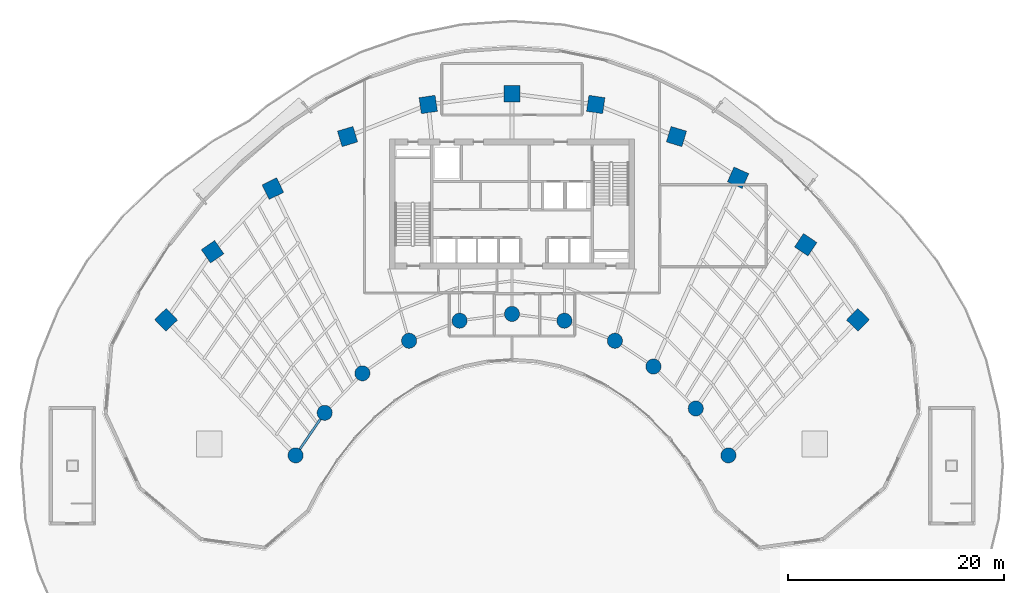
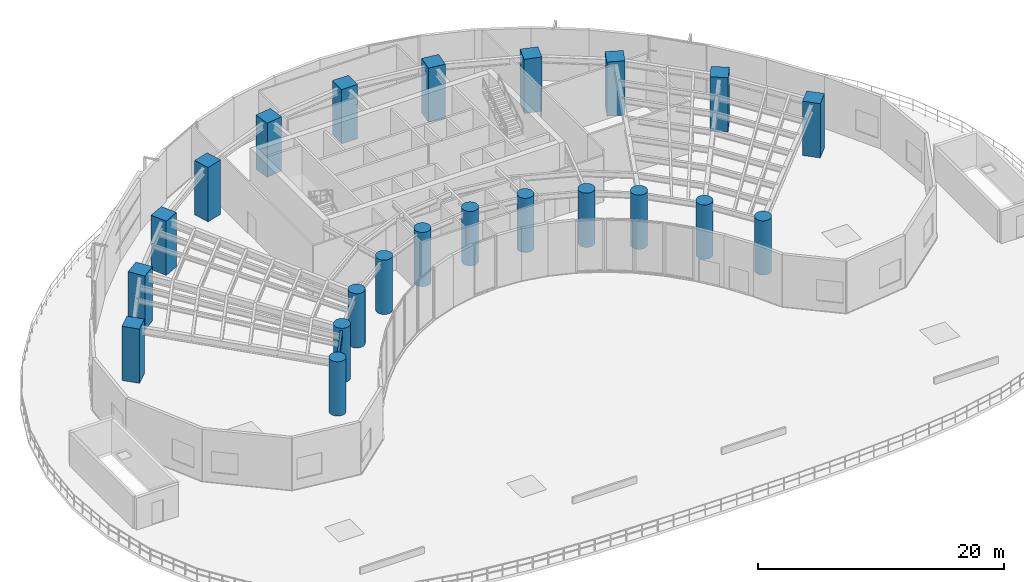
# One storey, part 1 of 17: 22 columns, 1 beam.
"""IFC4 building model written with IfcOpenShell, lengths in metres."""

from ifc_helpers import new_model, si_unit, direction, frame, origin, origin_2d, place, context, subcontext, project, spatial, rectangle, circle, i_section, extrude, source, transform, mapped, material, material_profile, profile_set, type_object, type_shapes, element, save


model = new_model("IFC4")

# Units and contexts
model_context = context("Model", 3, precision=1e-05, world=origin(), true_north=direction((0.0, 1.0)))
body_context = subcontext(model_context, "Body", "Model", "MODEL_VIEW")
ifc_project = project(units=[si_unit("LENGTHUNIT", "METRE"), si_unit("AREAUNIT", "SQUARE_METRE"), si_unit("VOLUMEUNIT", "CUBIC_METRE"), si_unit("PLANEANGLEUNIT", "RADIAN"), si_unit("MASSUNIT", "GRAM", prefix="KILO")], contexts=[model_context])

# Site, building, storey
site_placement = place(None, origin())
site = spatial("IfcSite", under=ifc_project, at=site_placement, CompositionType="ELEMENT")
building_placement = place(site_placement, origin())
building = spatial("IfcBuilding", under=site, at=building_placement, Name="Breltana Convention Tower", CompositionType="ELEMENT")
storey_placement = place(building_placement, frame((0.0, 0.0, 30.0)))
storey = spatial("IfcBuildingStorey", under=building, at=storey_placement, Name="L05", CompositionType="ELEMENT", Elevation=30.0)

# Columns
ifc_material_1 = material(Name="Concrete C60/75", Category="concrete")
ifc_material_profile_1 = material_profile(ifc_material_1, circle(Radius=0.699951171875, at=origin_2d()), Name="RC-COL-D1400")
ifc_profile_set_1 = profile_set([ifc_material_profile_1], Name="Concrete C60/75")
column_type_1 = type_object("IfcColumnType", Name="COL-RC-D1400", PredefinedType="COLUMN", material=ifc_profile_set_1)
shared_shape_1 = source(origin(), body_context, "Body", "SweptSolid", [
    extrude(circle(Radius=0.699951171875, at=origin_2d()), origin(), (0.0, 0.0, 1.0), 5.39990234375),
])
type_shapes(column_type_1, [shared_shape_1])
for number, where, z_axis, x_axis, name in (
    (1, (27.984619140625, 42.95458984375, 0.0), (0.0, 0.0, 1.0), (-0.690756218984, 0.723087716626, 0.0), "L05 Tower Column R01-IN"),
    (2, (30.67724609375, 46.892333984375, 0.0), (0.0, 0.0, 1.0), (-0.571143442153, 0.820850271661, 0.0), "L05 Tower Column R02-IN"),
    (3, (34.166259765625, 50.544921875, 0.0), (0.0, 0.0, 1.0), (-0.436173672171, 0.899862504889, 0.0), "L05 Tower Column R03-IN"),
    (4, (38.485107421875, 53.5576171875, 0.0), (0.0, 0.0, 1.0), (-0.288697611798, 0.957420330337, 0.0), "L05 Tower Column R04-IN"),
    (5, (43.153564453125, 55.41064453125, 0.0), (0.0, 0.0, 1.0), (-0.143492621991, 0.98965138682, 0.0), "L05 Tower Column R05-IN"),
    (6, (48.0, 56.035888671875, 0.0), (0.0, 0.0, 1.0), (0.0, 1.0, 0.0), "L05 Tower Column R06-IN"),
    (7, (52.846435546875, 55.41064453125, 0.0), (0.0, 0.0, 1.0), (0.143492621991, 0.98965138682, 0.0), "L05 Tower Column R07-IN"),
    (8, (57.514892578125, 53.5576171875, 0.0), (0.0, 0.0, 1.0), (0.288697611798, 0.957420330337, 0.0), "L05 Tower Column R08-IN"),
    (9, (61.08203125, 51.174560546875, 0.0), (0.0, 0.0, 1.0), (0.409126902895, 0.912477494148, 0.0), "L05 Tower Column R09-IN"),
    (10, (64.995849609375, 47.293701171875, 0.0), (0.0, 0.0, 1.0), (0.55774510898, 0.830012285095, 0.0), "L05 Tower Column R10-IN"),
    (11, (68.015380859375, 42.95458984375, 0.0), (0.0, 0.0, 1.0), (0.690756218984, 0.723087716626, 0.0), "L05 Tower Column R11-IN"),
):
    element("IfcColumn", number, at=place(storey_placement, frame(where, z_axis=z_axis, x_axis=x_axis)), inside=storey, type_object=column_type_1, Name=name, PredefinedType="COLUMN", context=body_context, shape_type="MappedRepresentation", body=[
        mapped(shared_shape_1, transform((0.0, 0.0, 0.0), scale=1.0)),
    ])
ifc_material_profile_2 = material_profile(ifc_material_1, rectangle(XDim=1.5, YDim=1.5, at=origin_2d()), Name="RC-COL-1500X1500")
ifc_profile_set_2 = profile_set([ifc_material_profile_2], Name="Concrete C60/75")
column_type_2 = type_object("IfcColumnType", Name="COL-RC-1500", PredefinedType="COLUMN", material=ifc_profile_set_2)
shared_shape_2 = source(origin(), body_context, "Body", "SweptSolid", [
    extrude(rectangle(XDim=1.5, YDim=1.5, at=origin_2d()), origin(), (0.0, 0.0, 1.0), 5.39990234375),
])
type_shapes(column_type_2, [shared_shape_2])
for number, where, z_axis, x_axis, name in (
    (12, (16.0068359375, 55.494384765625, 0.0), (0.0, 0.0, 1.0), (-0.690756218984, 0.723087716626, 0.0), "L05 Tower Column R01-OUT"),
    (13, (20.310791015625, 61.78857421875, 0.0), (0.0, 0.0, 1.0), (-0.571143442153, 0.820850271661, 0.0), "L05 Tower Column R02-OUT"),
    (14, (25.8876953125, 67.626953125, 0.0), (0.0, 0.0, 1.0), (-0.436173672171, 0.899862504889, 0.0), "L05 Tower Column R03-OUT"),
    (15, (32.791015625, 72.4423828125, 0.0), (0.0, 0.0, 1.0), (-0.288697611798, 0.957420330337, 0.0), "L05 Tower Column R04-OUT"),
    (16, (40.253173828125, 75.404296875, 0.0), (0.0, 0.0, 1.0), (-0.143492621991, 0.98965138682, 0.0), "L05 Tower Column R05-OUT"),
    (17, (48.0, 76.404052734375, 0.0), (0.0, 0.0, 1.0), (0.0, 1.0, 0.0), "L05 Tower Column R06-OUT"),
    (18, (55.746826171875, 75.404296875, 0.0), (0.0, 0.0, 1.0), (0.143492621991, 0.98965138682, 0.0), "L05 Tower Column R07-OUT"),
    (19, (63.208984375, 72.4423828125, 0.0), (0.0, 0.0, 1.0), (0.288697611798, 0.957420330337, 0.0), "L05 Tower Column R08-OUT"),
    (20, (68.910400390625, 68.63330078125, 0.0), (0.0, 0.0, 1.0), (0.409126902895, 0.912477494148, 0.0), "L05 Tower Column R09-OUT"),
    (21, (75.166748046875, 62.43017578125, 0.0), (0.0, 0.0, 1.0), (0.55774510898, 0.830012285095, 0.0), "L05 Tower Column R10-OUT"),
    (22, (79.9931640625, 55.494384765625, 0.0), (0.0, 0.0, 1.0), (0.690756218984, 0.723087716626, 0.0), "L05 Tower Column R11-OUT"),
):
    element("IfcColumn", number, at=place(storey_placement, frame(where, z_axis=z_axis, x_axis=x_axis)), inside=storey, type_object=column_type_2, Name=name, PredefinedType="COLUMN", context=body_context, shape_type="MappedRepresentation", body=[
        mapped(shared_shape_2, transform((0.0, 0.0, 0.0), scale=1.0)),
    ])

# Beam
ifc_material_2 = material(Name="Steel ASTM A992 Grade 50", Category="steel")
ifc_material_profile_3 = material_profile(ifc_material_2, i_section(OverallWidth=0.2099609375, OverallDepth=0.537109375, WebThickness=0.010986328125, FlangeThickness=0.017333984375, at=origin_2d()), Name="W21X68")
ifc_profile_set_3 = profile_set([ifc_material_profile_3], Name="Steel ASTM A992 Grade 50")
beam_type = type_object("IfcBeamType", Name="BM-BM-W21X68", PredefinedType="BEAM", material=ifc_profile_set_3)
shared_shape_3 = source(origin(), body_context, "Body", "SweptSolid", [
    extrude(i_section(OverallWidth=0.2099609375, OverallDepth=0.537109375, WebThickness=0.010986328125, FlangeThickness=0.017333984375, at=origin_2d()), origin(), (0.0, 0.0, 1.0), 4.770263671875),
])
beam_placement = place(storey_placement, frame((27.984619140625, 42.95458984375, 4.8916015625), z_axis=(0.564452719055, 0.82546540082, 0.0), x_axis=(-0.82546540082, 0.564452719055, 0.0)))
element("IfcBeam", 23, at=beam_placement, inside=storey, type_object=beam_type, Name="L05 Inner Ring Beam 01", PredefinedType="BEAM", context=body_context, shape_type="MappedRepresentation", body=[
    mapped(shared_shape_3, transform((0.0, 0.0, 0.0), scale=1.0)),
])

save(model, "model.ifc")
